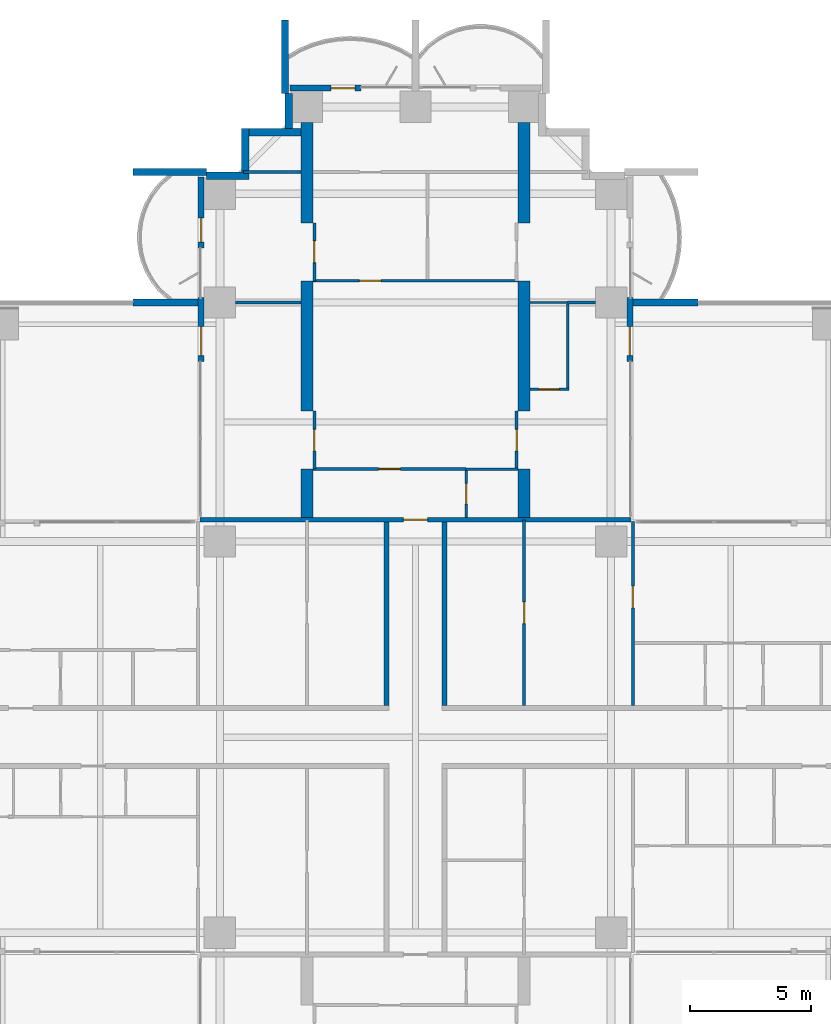
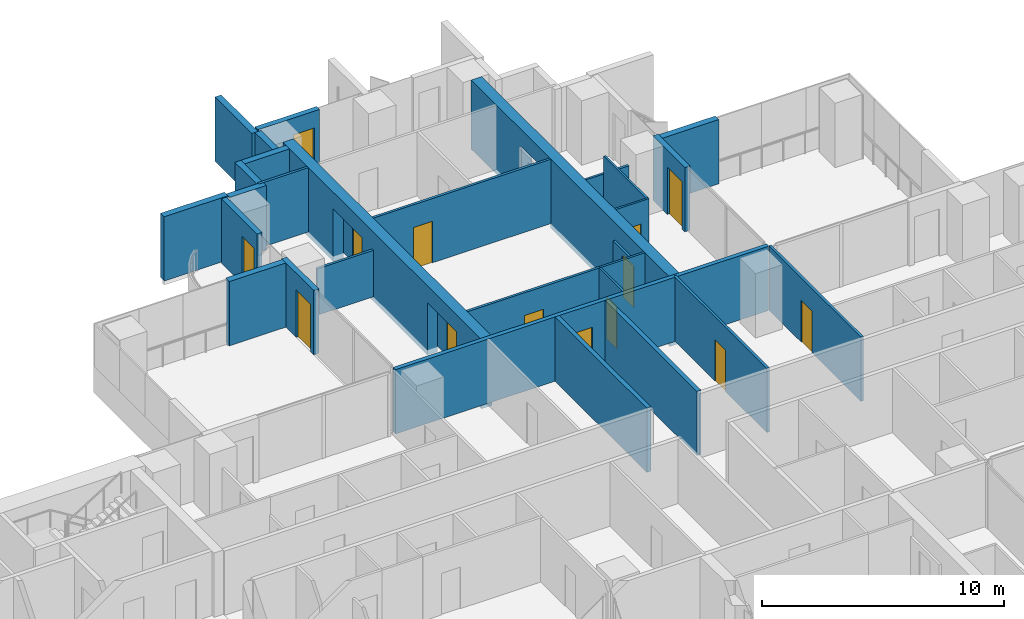
# One storey, part 14 of 20: 32 walls, 14 doors, 14 openings.
"""IFC4 building model written with IfcOpenShell, lengths in metres."""

from ifc_helpers import new_model, si_unit, direction, frame, frame_2d, origin, place, context, subcontext, project, spatial, polyline, rectangle, outline, extrude, material, layer, layer_set, material_profile, profile_set, type_object, element, fill, save


model = new_model("IFC4")

# Units and contexts
model_context = context("Model", 3, precision=1e-05, world=origin(), true_north=direction((0.0, 1.0)))
body_context = subcontext(model_context, "Body", "Model", "MODEL_VIEW")
ifc_project = project(units=[si_unit("LENGTHUNIT", "METRE"), si_unit("AREAUNIT", "SQUARE_METRE"), si_unit("VOLUMEUNIT", "CUBIC_METRE"), si_unit("PLANEANGLEUNIT", "RADIAN"), si_unit("MASSUNIT", "GRAM", prefix="KILO")], contexts=[model_context])

# Site, building, storey
site_placement = place(None, origin())
site = spatial("IfcSite", under=ifc_project, at=site_placement, CompositionType="ELEMENT")
building_placement = place(site_placement, origin())
building = spatial("IfcBuilding", under=site, at=building_placement, Name="Perihelion Cross Residences", CompositionType="ELEMENT")
storey_placement = place(building_placement, frame((0.0, 0.0, 82.0)))
storey = spatial("IfcBuildingStorey", under=building, at=storey_placement, Name="L18", CompositionType="ELEMENT", Elevation=82.0)

# Walls
ifc_material_1 = material(Name="Plasterboard partition")
ifc_layer_1 = layer(ifc_material_1, 0.199951171875)
ifc_layer_set_1 = layer_set([ifc_layer_1], Name="Apartment separation wall 200")
wall_type_1 = type_object("IfcWallType", Name="Apartment separation wall 200", PredefinedType="PARTITIONING", material=ifc_layer_set_1)
for number, where, z_axis, x_axis, name in (
    (1, (1.199951171875, 8.89990234375, 0.0), (0.0, 0.0, 1.0), (0.0, -1.0, 0.0), "Partition L18 W002"),
    (2, (-1.199951171875, 1.300048828125, 0.0), (0.0, 0.0, 1.0), (0.0, 1.0, 0.0), "Partition L18 W006"),
):
    element("IfcWall", number, at=place(storey_placement, frame(where, z_axis=z_axis, x_axis=x_axis)), inside=storey, type_object=wall_type_1, Name=name, PredefinedType="PARTITIONING", context=body_context, shape_type="SweptSolid", body=[
        extrude(rectangle(XDim=7.599853515625, YDim=0.199951171875, at=frame_2d((3.7998046875, 0.0))), origin(), (0.0, 0.0, 1.0), 3.25),
    ])

# Wall, opening, door
wall_1_placement = place(storey_placement, frame((-8.919921875, 9.0, 0.0), z_axis=(0.0, 0.0, 1.0), x_axis=(1.0, 0.0, 0.0)))
wall_1 = element("IfcWall", 3, at=wall_1_placement, inside=storey, type_object=wall_type_1, Name="Partition L18 W009", PredefinedType="PARTITIONING", context=body_context, shape_type="SweptSolid", body=[
    extrude(rectangle(XDim=17.83984375, YDim=0.199951171875, at=frame_2d((8.919921875, 0.0))), origin(), (0.0, 0.0, 1.0), 3.25),
])
opening_1_placement = place(wall_1_placement, frame((8.419921875, 0.0, 0.0)))
opening_1 = element("IfcOpeningElement", 4, at=opening_1_placement, cuts=wall_1, Name="Opening L18.A31", PredefinedType="OPENING", context=body_context, shape_type="SweptSolid", body=[
    extrude(rectangle(XDim=1.0, YDim=2.10009765625, at=frame_2d((0.5, 1.050048828125))), frame((0.0, 0.10986328125, 0.0), z_axis=(0.0, -1.0, 0.0), x_axis=(1.0, 0.0, 0.0)), (0.0, 0.0, 1.0), 0.219970703125),
])
ifc_material_2 = material(Name="Timber door leaf", Category="wood")
door_type_1 = type_object("IfcDoorType", Name="Flat entrance door 1000 x 2100", OperationType="SINGLE_SWING_LEFT", PredefinedType="DOOR", material=ifc_material_2)
door_1_placement = place(opening_1_placement, origin())
door_1 = element("IfcDoor", 5, at=door_1_placement, inside=storey, type_object=door_type_1, Name="Door L18.A31", OperationType="SINGLE_SWING_LEFT", OverallHeight=2.10009765625, OverallWidth=1.0, PredefinedType="DOOR", context=body_context, shape_type="SweptSolid", body=[
    extrude(rectangle(XDim=1.0, YDim=2.10009765625, at=frame_2d((0.5, 1.050048828125))), frame((0.0, 0.02490234375, 0.0), z_axis=(0.0, -1.0, 0.0), x_axis=(1.0, 0.0, 0.0)), (0.0, 0.0, 1.0), 0.050048828125),
])
fill(opening_1, door_1)

ifc_material_3 = material(Name="Concrete C30/37, bronze-clad", Category="concrete")
ifc_layer_2 = layer(ifc_material_3, 0.25)
ifc_layer_set_2 = layer_set([ifc_layer_2], Name="Bronze-clad pier wall 250")
wall_type_2 = type_object("IfcWallType", Name="Bronze-clad pier wall 250", PredefinedType="SOLIDWALL", material=ifc_layer_set_2)
wall_2_placement = place(storey_placement, frame((8.875, 15.550048828125, 0.0), z_axis=(0.0, 0.0, 1.0), x_axis=(0.0, 1.0, 0.0)))
wall_2 = element("IfcWall", 6, at=wall_2_placement, inside=storey, type_object=wall_type_2, Name="Wall FW1 L18 north side east bay 1 pier", PredefinedType="SOLIDWALL", context=body_context, shape_type="SweptSolid", body=[
    extrude(rectangle(XDim=2.64990234375, YDim=0.25, at=frame_2d((1.324951171875, 0.0))), origin(), (0.0, 0.0, 1.0), 3.25),
])
opening_2_placement = place(wall_2_placement, frame((0.25, 0.0, 0.0)))
opening_2 = element("IfcOpeningElement", 7, at=opening_2_placement, cuts=wall_2, Name="Opening L18.E02", PredefinedType="OPENING", context=body_context, shape_type="SweptSolid", body=[
    extrude(rectangle(XDim=1.199951171875, YDim=2.39990234375, at=frame_2d((0.60009765625, 1.199951171875))), frame((0.0, 0.135009765625, 0.0), z_axis=(0.0, -1.0, 0.0), x_axis=(1.0, 0.0, 0.0)), (0.0, 0.0, 1.0), 0.27001953125),
])
ifc_material_4 = material(Name="Bronze anodised aluminium, glazed", Category="aluminium")
door_type_2 = type_object("IfcDoorType", Name="Balcony door 1200 x 2400", OperationType="NOTDEFINED", PredefinedType="DOOR", material=ifc_material_4)
door_2_placement = place(opening_2_placement, origin())
door_2 = element("IfcDoor", 8, at=door_2_placement, inside=storey, type_object=door_type_2, Name="Door L18.E02 north side east bay 1", OperationType="SINGLE_SWING_LEFT", OverallHeight=2.39990234375, OverallWidth=1.199951171875, PredefinedType="DOOR", context=body_context, shape_type="SweptSolid", body=[
    extrude(rectangle(XDim=1.199951171875, YDim=2.39990234375, at=frame_2d((0.60009765625, 1.199951171875))), frame((0.0, 0.02490234375, 0.0), z_axis=(0.0, -1.0, 0.0), x_axis=(1.0, 0.0, 0.0)), (0.0, 0.0, 1.0), 0.050048828125),
])
fill(opening_2, door_2)

wall_3_placement = place(storey_placement, frame((-2.25, 26.875, 0.0), z_axis=(0.0, 0.0, 1.0), x_axis=(-1.0, 0.0, 0.0)))
wall_3 = element("IfcWall", 9, at=wall_3_placement, inside=storey, type_object=wall_type_2, Name="Wall FW1 L18 north tip north bay 2 pier", PredefinedType="SOLIDWALL", context=body_context, shape_type="SweptSolid", body=[
    extrude(rectangle(XDim=2.949951171875, YDim=0.25, at=frame_2d((1.47509765625, 0.0))), origin(), (0.0, 0.0, 1.0), 3.25),
])
opening_3_placement = place(wall_3_placement, frame((0.25, 0.0, 0.0)))
opening_3 = element("IfcOpeningElement", 10, at=opening_3_placement, cuts=wall_3, Name="Opening L18.E05", PredefinedType="OPENING", context=body_context, shape_type="SweptSolid", body=[
    extrude(rectangle(XDim=1.0, YDim=2.39990234375, at=frame_2d((0.5, 1.199951171875))), frame((0.0, 0.135009765625, 0.0), z_axis=(0.0, -1.0, 0.0), x_axis=(1.0, 0.0, 0.0)), (0.0, 0.0, 1.0), 0.27001953125),
])
ifc_material_5 = material(Name="Bronze anodised aluminium, glazed", Category="aluminium")
door_type_3 = type_object("IfcDoorType", Name="Balcony door 1000 x 2400", OperationType="NOTDEFINED", PredefinedType="DOOR", material=ifc_material_5)
door_3_placement = place(opening_3_placement, origin())
door_3 = element("IfcDoor", 11, at=door_3_placement, inside=storey, type_object=door_type_3, Name="Door L18.E05 north tip north bay 2", OperationType="SINGLE_SWING_RIGHT", OverallHeight=2.39990234375, OverallWidth=1.0, PredefinedType="DOOR", context=body_context, shape_type="SweptSolid", body=[
    extrude(rectangle(XDim=1.0, YDim=2.39990234375, at=frame_2d((0.5, 1.199951171875))), frame((0.0, 0.02490234375, 0.0), z_axis=(0.0, -1.0, 0.0), x_axis=(1.0, 0.0, 0.0)), (0.0, 0.0, 1.0), 0.050048828125),
])
fill(opening_3, door_3)

wall_4_placement = place(storey_placement, frame((-8.875, 23.199951171875, 0.0), z_axis=(0.0, 0.0, 1.0), x_axis=(0.0, -1.0, 0.0)))
wall_4 = element("IfcWall", 12, at=wall_4_placement, inside=storey, type_object=wall_type_2, Name="Wall FW1 L18 north side west bay 1 pier", PredefinedType="SOLIDWALL", context=body_context, shape_type="SweptSolid", body=[
    extrude(rectangle(XDim=2.949951171875, YDim=0.25, at=frame_2d((1.47509765625, 0.0))), origin(), (0.0, 0.0, 1.0), 3.25),
])
opening_4_placement = place(wall_4_placement, frame((1.699951171875, 0.0, 0.0)))
opening_4 = element("IfcOpeningElement", 13, at=opening_4_placement, cuts=wall_4, Name="Opening L18.E06", PredefinedType="OPENING", context=body_context, shape_type="SweptSolid", body=[
    extrude(rectangle(XDim=1.0, YDim=2.39990234375, at=frame_2d((0.5, 1.199951171875))), frame((0.0, 0.135009765625, 0.0), z_axis=(0.0, -1.0, 0.0), x_axis=(1.0, 0.0, 0.0)), (0.0, 0.0, 1.0), 0.27001953125),
])
door_4_placement = place(opening_4_placement, origin())
door_4 = element("IfcDoor", 14, at=door_4_placement, inside=storey, type_object=door_type_3, Name="Door L18.E06 north side west bay 1", OperationType="SINGLE_SWING_LEFT", OverallHeight=2.39990234375, OverallWidth=1.0, PredefinedType="DOOR", context=body_context, shape_type="SweptSolid", body=[
    extrude(rectangle(XDim=1.0, YDim=2.39990234375, at=frame_2d((0.5, 1.199951171875))), frame((0.0, 0.02490234375, 0.0), z_axis=(0.0, -1.0, 0.0), x_axis=(1.0, 0.0, 0.0)), (0.0, 0.0, 1.0), 0.050048828125),
])
fill(opening_4, door_4)

wall_5_placement = place(storey_placement, frame((-8.875, 18.199951171875, 0.0), z_axis=(0.0, 0.0, 1.0), x_axis=(0.0, -1.0, 0.0)))
wall_5 = element("IfcWall", 15, at=wall_5_placement, inside=storey, type_object=wall_type_2, Name="Wall FW1 L18 north side west bay 2 pier", PredefinedType="SOLIDWALL", context=body_context, shape_type="SweptSolid", body=[
    extrude(rectangle(XDim=2.64990234375, YDim=0.25, at=frame_2d((1.324951171875, 0.0))), origin(), (0.0, 0.0, 1.0), 3.25),
])
opening_5_placement = place(wall_5_placement, frame((1.199951171875, 0.0, 0.0)))
opening_5 = element("IfcOpeningElement", 16, at=opening_5_placement, cuts=wall_5, Name="Opening L18.E07", PredefinedType="OPENING", context=body_context, shape_type="SweptSolid", body=[
    extrude(rectangle(XDim=1.199951171875, YDim=2.39990234375, at=frame_2d((0.60009765625, 1.199951171875))), frame((0.0, 0.135009765625, 0.0), z_axis=(0.0, -1.0, 0.0), x_axis=(1.0, 0.0, 0.0)), (0.0, 0.0, 1.0), 0.27001953125),
])
door_5_placement = place(opening_5_placement, origin())
door_5 = element("IfcDoor", 17, at=door_5_placement, inside=storey, type_object=door_type_2, Name="Door L18.E07 north side west bay 2", OperationType="SINGLE_SWING_RIGHT", OverallHeight=2.39990234375, OverallWidth=1.199951171875, PredefinedType="DOOR", context=body_context, shape_type="SweptSolid", body=[
    extrude(rectangle(XDim=1.199951171875, YDim=2.39990234375, at=frame_2d((0.60009765625, 1.199951171875))), frame((0.0, 0.02490234375, 0.0), z_axis=(0.0, -1.0, 0.0), x_axis=(1.0, 0.0, 0.0)), (0.0, 0.0, 1.0), 0.050048828125),
])
fill(opening_5, door_5)

# Walls
ifc_material_6 = material(Name="Concrete C30/37, bronze-clad", Category="concrete")
ifc_layer_3 = layer(ifc_material_6, 0.300048828125)
ifc_layer_set_3 = layer_set([ifc_layer_3], Name="Bronze-clad serration wall 300")
wall_type_3 = type_object("IfcWallType", Name="Bronze-clad serration wall 300", PredefinedType="SOLIDWALL", material=ifc_layer_set_3)
wall_6_placement = place(storey_placement, frame((-5.25, 26.64990234375, 0.0), z_axis=(0.0, 0.0, 1.0), x_axis=(0.0, -1.0, 0.0)))
element("IfcWall", 18, at=wall_6_placement, inside=storey, type_object=wall_type_3, Name="Wall SR1 L18 north corner north-west 1", PredefinedType="SOLIDWALL", context=body_context, shape_type="SweptSolid", body=[
    extrude(rectangle(XDim=1.449951171875, YDim=0.300048828125, at=frame_2d((0.72509765625, 0.0))), origin(), (0.0, 0.0, 1.0), 3.25),
])
wall_7_placement = place(storey_placement, frame((-4.75, 25.050048828125, 0.0), z_axis=(0.0, 0.0, 1.0), x_axis=(-1.0, 0.0, 0.0)))
element("IfcWall", 19, at=wall_7_placement, inside=storey, type_object=wall_type_3, Name="Wall SR1 L18 north corner north-west 2", PredefinedType="SOLIDWALL", context=body_context, shape_type="SweptSolid", body=[
    extrude(rectangle(XDim=2.14990234375, YDim=0.300048828125, at=frame_2d((1.074951171875, 0.0))), origin(), (0.0, 0.0, 1.0), 3.25),
])
wall_8_placement = place(storey_placement, frame((-7.050048828125, 25.199951171875, 0.0), z_axis=(0.0, 0.0, 1.0), x_axis=(0.0, -1.0, 0.0)))
element("IfcWall", 20, at=wall_8_placement, inside=storey, type_object=wall_type_3, Name="Wall SR1 L18 north corner north-west 3", PredefinedType="SOLIDWALL", context=body_context, shape_type="SweptSolid", body=[
    extrude(rectangle(XDim=1.800048828125, YDim=0.300048828125, at=frame_2d((0.89990234375, 0.0))), origin(), (0.0, 0.0, 1.0), 3.25),
])
wall_9_placement = place(storey_placement, frame((-6.89990234375, 23.25, 0.0), z_axis=(0.0, 0.0, 1.0), x_axis=(-1.0, 0.0, 0.0)))
element("IfcWall", 21, at=wall_9_placement, inside=storey, type_object=wall_type_3, Name="Wall SR1 L18 north corner north-west 4", PredefinedType="SOLIDWALL", context=body_context, shape_type="SweptSolid", body=[
    extrude(rectangle(XDim=1.75, YDim=0.300048828125, at=frame_2d((0.875, 0.0))), origin(), (0.0, 0.0, 1.0), 3.25),
])

# Wall, opening, door
ifc_material_7 = material(Name="Plasterboard partition")
ifc_layer_4 = layer(ifc_material_7, 0.1201171875)
ifc_layer_set_4 = layer_set([ifc_layer_4], Name="Infill panel 120")
wall_type_4 = type_object("IfcWallType", Name="Infill panel 120", PredefinedType="PARTITIONING", material=ifc_layer_set_4)
wall_10_placement = place(storey_placement, frame((4.18994140625, 11.10009765625, 0.0), z_axis=(0.0, 0.0, 1.0), x_axis=(0.0, 1.0, 0.0)))
wall_10 = element("IfcWall", 22, at=wall_10_placement, inside=storey, type_object=wall_type_4, Name="Partition L18 WI01", PredefinedType="PARTITIONING", context=body_context, shape_type="SweptSolid", body=[
    extrude(rectangle(XDim=2.39990234375, YDim=0.1201171875, at=frame_2d((1.199951171875, 0.0))), origin(), (0.0, 0.0, 1.0), 2.39990234375),
])
opening_6_placement = place(wall_10_placement, frame((0.75, 0.0, 0.0)))
opening_6 = element("IfcOpeningElement", 23, at=opening_6_placement, cuts=wall_10, Name="Opening L18.A49", PredefinedType="OPENING", context=body_context, shape_type="SweptSolid", body=[
    extrude(rectangle(XDim=0.89990234375, YDim=2.10009765625, at=frame_2d((0.449951171875, 1.050048828125))), frame((0.0, 0.070068359375, 0.0), z_axis=(0.0, -1.0, 0.0), x_axis=(1.0, 0.0, 0.0)), (0.0, 0.0, 1.0), 0.14013671875),
])
ifc_material_8 = material(Name="Timber door leaf", Category="wood")
door_type_4 = type_object("IfcDoorType", Name="Interior room door 900 x 2100", OperationType="SINGLE_SWING_LEFT", PredefinedType="DOOR", material=ifc_material_8)
door_6_placement = place(opening_6_placement, origin())
door_6 = element("IfcDoor", 24, at=door_6_placement, inside=storey, type_object=door_type_4, Name="Door L18.A49", OperationType="SINGLE_SWING_LEFT", OverallHeight=2.10009765625, OverallWidth=0.89990234375, PredefinedType="DOOR", context=body_context, shape_type="SweptSolid", body=[
    extrude(rectangle(XDim=0.89990234375, YDim=2.10009765625, at=frame_2d((0.449951171875, 1.050048828125))), frame((0.0, 0.02490234375, 0.0), z_axis=(0.0, -1.0, 0.0), x_axis=(1.0, 0.0, 0.0)), (0.0, 0.0, 1.0), 0.050048828125),
])
fill(opening_6, door_6)

wall_11_placement = place(storey_placement, frame((-4.18994140625, 11.10009765625, 0.0), z_axis=(0.0, 0.0, 1.0), x_axis=(0.0, 1.0, 0.0)))
wall_11 = element("IfcWall", 25, at=wall_11_placement, inside=storey, type_object=wall_type_4, Name="Partition L18 WI03", PredefinedType="PARTITIONING", context=body_context, shape_type="SweptSolid", body=[
    extrude(rectangle(XDim=2.39990234375, YDim=0.1201171875, at=frame_2d((1.199951171875, 0.0))), origin(), (0.0, 0.0, 1.0), 2.39990234375),
])
opening_7_placement = place(wall_11_placement, frame((0.75, 0.0, 0.0)))
opening_7 = element("IfcOpeningElement", 26, at=opening_7_placement, cuts=wall_11, Name="Opening L18.A51", PredefinedType="OPENING", context=body_context, shape_type="SweptSolid", body=[
    extrude(rectangle(XDim=0.89990234375, YDim=2.10009765625, at=frame_2d((0.449951171875, 1.050048828125))), frame((0.0, 0.070068359375, 0.0), z_axis=(0.0, -1.0, 0.0), x_axis=(1.0, 0.0, 0.0)), (0.0, 0.0, 1.0), 0.14013671875),
])
door_7_placement = place(opening_7_placement, origin())
door_7 = element("IfcDoor", 27, at=door_7_placement, inside=storey, type_object=door_type_4, Name="Door L18.A51", OperationType="SINGLE_SWING_RIGHT", OverallHeight=2.10009765625, OverallWidth=0.89990234375, PredefinedType="DOOR", context=body_context, shape_type="SweptSolid", body=[
    extrude(rectangle(XDim=0.89990234375, YDim=2.10009765625, at=frame_2d((0.449951171875, 1.050048828125))), frame((0.0, 0.02490234375, 0.0), z_axis=(0.0, -1.0, 0.0), x_axis=(1.0, 0.0, 0.0)), (0.0, 0.0, 1.0), 0.050048828125),
])
fill(opening_7, door_7)

wall_12_placement = place(storey_placement, frame((-4.18994140625, 18.89990234375, 0.0), z_axis=(0.0, 0.0, 1.0), x_axis=(0.0, 1.0, 0.0)))
wall_12 = element("IfcWall", 28, at=wall_12_placement, inside=storey, type_object=wall_type_4, Name="Partition L18 WI04", PredefinedType="PARTITIONING", context=body_context, shape_type="SweptSolid", body=[
    extrude(rectangle(XDim=2.400146484375, YDim=0.1201171875, at=frame_2d((1.2001953125, 0.0))), origin(), (0.0, 0.0, 1.0), 2.39990234375),
])
opening_8_placement = place(wall_12_placement, frame((0.75, 0.0, 0.0)))
opening_8 = element("IfcOpeningElement", 29, at=opening_8_placement, cuts=wall_12, Name="Opening L18.A52", PredefinedType="OPENING", context=body_context, shape_type="SweptSolid", body=[
    extrude(rectangle(XDim=0.89990234375, YDim=2.10009765625, at=frame_2d((0.449951171875, 1.050048828125))), frame((0.0, 0.070068359375, 0.0), z_axis=(0.0, -1.0, 0.0), x_axis=(1.0, 0.0, 0.0)), (0.0, 0.0, 1.0), 0.14013671875),
])
door_8_placement = place(opening_8_placement, origin())
door_8 = element("IfcDoor", 30, at=door_8_placement, inside=storey, type_object=door_type_4, Name="Door L18.A52", OperationType="SINGLE_SWING_LEFT", OverallHeight=2.10009765625, OverallWidth=0.89990234375, PredefinedType="DOOR", context=body_context, shape_type="SweptSolid", body=[
    extrude(rectangle(XDim=0.89990234375, YDim=2.10009765625, at=frame_2d((0.449951171875, 1.050048828125))), frame((0.0, 0.02490234375, 0.0), z_axis=(0.0, -1.0, 0.0), x_axis=(1.0, 0.0, 0.0)), (0.0, 0.0, 1.0), 0.050048828125),
])
fill(opening_8, door_8)

ifc_material_9 = material(Name="Plasterboard partition")
ifc_layer_5 = layer(ifc_material_9, 0.1201171875)
ifc_layer_set_5 = layer_set([ifc_layer_5], Name="Partition wall 120")
wall_type_5 = type_object("IfcWallType", Name="Partition wall 120", PredefinedType="PARTITIONING", material=ifc_layer_set_5)
wall_13_placement = place(storey_placement, frame((9.0, 1.300048828125, 0.0), z_axis=(0.0, 0.0, 1.0), x_axis=(0.0, 1.0, 0.0)))
wall_13 = element("IfcWall", 31, at=wall_13_placement, inside=storey, type_object=wall_type_5, Name="Partition L18 W013", PredefinedType="PARTITIONING", context=body_context, shape_type="SweptSolid", body=[
    extrude(rectangle(XDim=7.619873046875, YDim=0.1201171875, at=frame_2d((3.81005859375, 0.0))), origin(), (0.0, 0.0, 1.0), 3.25),
])
opening_9_placement = place(wall_13_placement, frame((4.050048828125, 0.0, 0.0)))
opening_9 = element("IfcOpeningElement", 32, at=opening_9_placement, cuts=wall_13, Name="Opening L18.A06", PredefinedType="OPENING", context=body_context, shape_type="SweptSolid", body=[
    extrude(rectangle(XDim=0.89990234375, YDim=2.10009765625, at=frame_2d((0.449951171875, 1.050048828125))), frame((0.0, 0.070068359375, 0.0), z_axis=(0.0, -1.0, 0.0), x_axis=(1.0, 0.0, 0.0)), (0.0, 0.0, 1.0), 0.14013671875),
])
door_9_placement = place(opening_9_placement, origin())
door_9 = element("IfcDoor", 33, at=door_9_placement, inside=storey, type_object=door_type_4, Name="Door L18.A06", OperationType="SINGLE_SWING_RIGHT", OverallHeight=2.10009765625, OverallWidth=0.89990234375, PredefinedType="DOOR", context=body_context, shape_type="SweptSolid", body=[
    extrude(rectangle(XDim=0.89990234375, YDim=2.10009765625, at=frame_2d((0.449951171875, 1.050048828125))), frame((0.0, 0.02490234375, 0.0), z_axis=(0.0, -1.0, 0.0), x_axis=(1.0, 0.0, 0.0)), (0.0, 0.0, 1.0), 0.050048828125),
])
fill(opening_9, door_9)

wall_14_placement = place(storey_placement, frame((4.5, 1.300048828125, 0.0), z_axis=(0.0, 0.0, 1.0), x_axis=(0.0, 1.0, 0.0)))
wall_14 = element("IfcWall", 34, at=wall_14_placement, inside=storey, type_object=wall_type_5, Name="Partition L18 W019", PredefinedType="PARTITIONING", context=body_context, shape_type="SweptSolid", body=[
    extrude(rectangle(XDim=7.699951171875, YDim=0.1201171875, at=frame_2d((3.85009765625, 0.0))), origin(), (0.0, 0.0, 1.0), 3.25),
])
opening_10_placement = place(wall_14_placement, frame((3.39990234375, 0.0, 0.0)))
opening_10 = element("IfcOpeningElement", 35, at=opening_10_placement, cuts=wall_14, Name="Opening L18.A02", PredefinedType="OPENING", context=body_context, shape_type="SweptSolid", body=[
    extrude(rectangle(XDim=0.89990234375, YDim=2.10009765625, at=frame_2d((0.449951171875, 1.050048828125))), frame((0.0, 0.070068359375, 0.0), z_axis=(0.0, -1.0, 0.0), x_axis=(1.0, 0.0, 0.0)), (0.0, 0.0, 1.0), 0.14013671875),
])
door_10_placement = place(opening_10_placement, origin())
door_10 = element("IfcDoor", 36, at=door_10_placement, inside=storey, type_object=door_type_4, Name="Door L18.A02", OperationType="SINGLE_SWING_LEFT", OverallHeight=2.10009765625, OverallWidth=0.89990234375, PredefinedType="DOOR", context=body_context, shape_type="SweptSolid", body=[
    extrude(rectangle(XDim=0.89990234375, YDim=2.10009765625, at=frame_2d((0.449951171875, 1.050048828125))), frame((0.0, 0.02490234375, 0.0), z_axis=(0.0, -1.0, 0.0), x_axis=(1.0, 0.0, 0.0)), (0.0, 0.0, 1.0), 0.050048828125),
])
fill(opening_10, door_10)

wall_15_placement = place(storey_placement, frame((-4.25, 11.10009765625, 0.0), z_axis=(0.0, 0.0, 1.0), x_axis=(1.0, 0.0, 0.0)))
wall_15 = element("IfcWall", 37, at=wall_15_placement, inside=storey, type_object=wall_type_5, Name="Partition L18 W049", PredefinedType="PARTITIONING", context=body_context, shape_type="SweptSolid", body=[
    extrude(rectangle(XDim=6.35009765625, YDim=0.1201171875, at=frame_2d((3.175048828125, 0.0))), origin(), (0.0, 0.0, 1.0), 3.25),
])
opening_11_placement = place(wall_15_placement, frame((2.72509765625, 0.0, 0.0)))
opening_11 = element("IfcOpeningElement", 38, at=opening_11_placement, cuts=wall_15, Name="Opening L18.A33", PredefinedType="OPENING", context=body_context, shape_type="SweptSolid", body=[
    extrude(rectangle(XDim=0.89990234375, YDim=2.10009765625, at=frame_2d((0.449951171875, 1.050048828125))), frame((0.0, 0.070068359375, 0.0), z_axis=(0.0, -1.0, 0.0), x_axis=(1.0, 0.0, 0.0)), (0.0, 0.0, 1.0), 0.14013671875),
])
door_11_placement = place(opening_11_placement, origin())
door_11 = element("IfcDoor", 39, at=door_11_placement, inside=storey, type_object=door_type_4, Name="Door L18.A33", OperationType="SINGLE_SWING_RIGHT", OverallHeight=2.10009765625, OverallWidth=0.89990234375, PredefinedType="DOOR", context=body_context, shape_type="SweptSolid", body=[
    extrude(rectangle(XDim=0.89990234375, YDim=2.10009765625, at=frame_2d((0.449951171875, 1.050048828125))), frame((0.0, 0.02490234375, 0.0), z_axis=(0.0, -1.0, 0.0), x_axis=(1.0, 0.0, 0.0)), (0.0, 0.0, 1.0), 0.050048828125),
])
fill(opening_11, door_11)

wall_16_placement = place(storey_placement, frame((-4.25, 18.89990234375, 0.0), z_axis=(0.0, 0.0, 1.0), x_axis=(1.0, 0.0, 0.0)))
wall_16 = element("IfcWall", 40, at=wall_16_placement, inside=storey, type_object=wall_type_5, Name="Partition L18 W051", PredefinedType="PARTITIONING", context=body_context, shape_type="SweptSolid", body=[
    extrude(rectangle(XDim=8.5, YDim=0.1201171875, at=frame_2d((4.25, 0.0))), origin(), (0.0, 0.0, 1.0), 3.25),
])
opening_12_placement = place(wall_16_placement, frame((1.925048828125, 0.0, 0.0)))
opening_12 = element("IfcOpeningElement", 41, at=opening_12_placement, cuts=wall_16, Name="Opening L18.A34", PredefinedType="OPENING", context=body_context, shape_type="SweptSolid", body=[
    extrude(rectangle(XDim=0.89990234375, YDim=2.10009765625, at=frame_2d((0.449951171875, 1.050048828125))), frame((0.0, 0.070068359375, 0.0), z_axis=(0.0, -1.0, 0.0), x_axis=(1.0, 0.0, 0.0)), (0.0, 0.0, 1.0), 0.14013671875),
])
door_12_placement = place(opening_12_placement, origin())
door_12 = element("IfcDoor", 42, at=door_12_placement, inside=storey, type_object=door_type_4, Name="Door L18.A34", OperationType="SINGLE_SWING_LEFT", OverallHeight=2.10009765625, OverallWidth=0.89990234375, PredefinedType="DOOR", context=body_context, shape_type="SweptSolid", body=[
    extrude(rectangle(XDim=0.89990234375, YDim=2.10009765625, at=frame_2d((0.449951171875, 1.050048828125))), frame((0.0, 0.02490234375, 0.0), z_axis=(0.0, -1.0, 0.0), x_axis=(1.0, 0.0, 0.0)), (0.0, 0.0, 1.0), 0.050048828125),
])
fill(opening_12, door_12)

# Walls
wall_17_placement = place(storey_placement, frame((6.300048828125, 18.0, 0.0), z_axis=(0.0, 0.0, 1.0), x_axis=(1.0, 0.0, 0.0)))
element("IfcWall", 43, at=wall_17_placement, inside=storey, type_object=wall_type_5, Name="Partition L18 W056", PredefinedType="PARTITIONING", context=body_context, shape_type="SweptSolid", body=[
    extrude(rectangle(XDim=1.14990234375, YDim=0.1201171875, at=frame_2d((0.574951171875, 0.0))), origin(), (0.0, 0.0, 1.0), 2.345947265625),
])
wall_18_placement = place(storey_placement, frame((-7.449951171875, 18.0, 0.0), z_axis=(0.0, 0.0, 1.0), x_axis=(1.0, 0.0, 0.0)))
element("IfcWall", 44, at=wall_18_placement, inside=storey, type_object=wall_type_5, Name="Partition L18 W059", PredefinedType="PARTITIONING", context=body_context, shape_type="SweptSolid", body=[
    extrude(rectangle(XDim=2.699951171875, YDim=0.1201171875, at=frame_2d((1.35009765625, 0.0))), origin(), (0.0, 0.0, 1.0), 2.345947265625),
])
wall_19_placement = place(storey_placement, frame((-7.1201171875, 23.39990234375, 0.0), z_axis=(0.0, 0.0, 1.0), x_axis=(1.0, 0.0, 0.0)))
element("IfcWall", 45, at=wall_19_placement, inside=storey, type_object=wall_type_5, Name="Partition L18 W060", PredefinedType="PARTITIONING", context=body_context, shape_type="SweptSolid", body=[
    extrude(rectangle(XDim=2.3701171875, YDim=0.1201171875, at=frame_2d((1.18505859375, 0.0))), origin(), (0.0, 0.0, 1.0), 3.25),
])
ifc_material_10 = material(Name="Precast concrete C50/60", Category="concrete")
ifc_layer_6 = layer(ifc_material_10, 0.300048828125)
ifc_layer_set_6 = layer_set([ifc_layer_6], Name="Precast concrete C50/60 blade wall 300")
wall_type_6 = type_object("IfcWallType", Name="Precast concrete C50/60 blade wall 300", PredefinedType="SOLIDWALL", material=ifc_layer_set_6)
wall_20_placement = place(storey_placement, frame((-8.75, 18.0, 0.0), z_axis=(0.0, 0.0, 1.0), x_axis=(-1.0, 0.0, 0.0)))
element("IfcWall", 46, at=wall_20_placement, inside=storey, type_object=wall_type_6, Name="Wall BL1 L18 no. 7", PredefinedType="SOLIDWALL", context=body_context, shape_type="SweptSolid", body=[
    extrude(rectangle(XDim=2.949951171875, YDim=0.300048828125, at=frame_2d((1.47509765625, 0.0))), origin(), (0.0, 0.0, 1.0), 3.25),
])
for number, where, z_axis, x_axis, name in (
    (47, (-8.64990234375, 23.39990234375, 0.0), (0.0, 0.0, 1.0), (-1.0, 0.0, 0.0), "Wall BL1 L18 no. 8"),
    (48, (-5.39990234375, 26.64990234375, 0.0), (0.0, 0.0, 1.0), (0.0, 1.0, 0.0), "Wall BL1 L18 no. 4"),
):
    element("IfcWall", number, at=place(storey_placement, frame(where, z_axis=z_axis, x_axis=x_axis)), inside=storey, type_object=wall_type_6, Name=name, PredefinedType="SOLIDWALL", context=body_context, shape_type="SweptSolid", body=[
        extrude(rectangle(XDim=3.050048828125, YDim=0.300048828125, at=frame_2d((1.52490234375, 0.0))), origin(), (0.0, 0.0, 1.0), 3.25),
    ])
wall_21_placement = place(storey_placement, frame((8.75, 18.0, 0.0), z_axis=(0.0, 0.0, 1.0), x_axis=(1.0, 0.0, 0.0)))
element("IfcWall", 49, at=wall_21_placement, inside=storey, type_object=wall_type_6, Name="Wall BL1 L18 no. 17", PredefinedType="SOLIDWALL", context=body_context, shape_type="SweptSolid", body=[
    extrude(rectangle(XDim=2.949951171875, YDim=0.300048828125, at=frame_2d((1.47509765625, 0.0))), origin(), (0.0, 0.0, 1.0), 3.25),
])
ifc_material_11 = material(Name="Concrete C60/75", Category="concrete")
ifc_material_profile = material_profile(ifc_material_11, outline(polyline([(0.0, 0.0), (2.10009765625, 0.0), (2.10009765625, 2.64990234375), (4.5, 2.64990234375), (4.5, 0.0), (9.89990234375, 0.0), (9.89990234375, 2.64990234375), (12.300048828125, 2.64990234375), (12.300048828125, 0.0), (16.449951171875, 0.0), (16.449951171875, 3.5), (0.0, 3.5), (0.0, 0.0)])), Name="Tip spine wall")
ifc_profile_set = profile_set([ifc_material_profile], Name="Concrete C60/75")
wall_type_7 = type_object("IfcWallType", Name="Tip spine wall 500 with 2 door openings 16450 long 3500 high concrete C60/75 hand B", PredefinedType="SHEAR", material=ifc_profile_set)
for number, where, z_axis, x_axis, name in (
    (50, (-4.75, 9.0, -0.25), (1.0, 0.0, 0.0), (0.0, 1.0, 0.0), "Shear wall SW23 L18 north west"),
    (51, (4.25, 9.0, -0.25), (1.0, 0.0, 0.0), (0.0, 1.0, 0.0), "Shear wall SW23 L18 north east"),
):
    element("IfcWall", number, at=place(storey_placement, frame(where, z_axis=z_axis, x_axis=x_axis)), inside=storey, type_object=wall_type_7, Name=name, PredefinedType="SHEAR", context=body_context, shape_type="SweptSolid", body=[
        extrude(outline(polyline([(0.0, 0.0), (2.10009765625, 0.0), (2.10009765625, 2.64990234375), (4.5, 2.64990234375), (4.5, 0.0), (9.89990234375, 0.0), (9.89990234375, 2.64990234375), (12.300048828125, 2.64990234375), (12.300048828125, 0.0), (16.449951171875, 0.0), (16.449951171875, 3.5), (0.0, 3.5), (0.0, 0.0)])), origin(), (0.0, 0.0, 1.0), 0.5),
    ])

# Wall, opening, door
ifc_material_12 = material(Name="Plasterboard partition")
ifc_layer_7 = layer(ifc_material_12, 0.10009765625)
ifc_layer_set_7 = layer_set([ifc_layer_7], Name="Wet room wall 100")
wall_type_8 = type_object("IfcWallType", Name="Wet room wall 100", PredefinedType="PARTITIONING", material=ifc_layer_set_7)
wall_22_placement = place(storey_placement, frame((2.10009765625, 11.0400390625, 0.0), z_axis=(0.0, 0.0, 1.0), x_axis=(0.0, -1.0, 0.0)))
wall_22 = element("IfcWall", 52, at=wall_22_placement, inside=storey, type_object=wall_type_8, Name="Partition L18 W048", PredefinedType="PARTITIONING", context=body_context, shape_type="SweptSolid", body=[
    extrude(rectangle(XDim=1.93994140625, YDim=0.10009765625, at=frame_2d((0.969970703125, 0.0))), origin(), (0.0, 0.0, 1.0), 3.25),
])
opening_13_placement = place(wall_22_placement, frame((0.544921875, 0.0, 0.0)))
opening_13 = element("IfcOpeningElement", 53, at=opening_13_placement, cuts=wall_22, Name="Opening L18.A32", PredefinedType="OPENING", context=body_context, shape_type="SweptSolid", body=[
    extrude(rectangle(XDim=0.85009765625, YDim=2.10009765625, at=frame_2d((0.425048828125, 1.050048828125))), frame((0.0, 0.06005859375, 0.0), z_axis=(0.0, -1.0, 0.0), x_axis=(1.0, 0.0, 0.0)), (0.0, 0.0, 1.0), 0.1201171875),
])
ifc_material_13 = material(Name="Timber door leaf", Category="wood")
door_type_5 = type_object("IfcDoorType", Name="Interior bathroom door 850 x 2100", OperationType="SINGLE_SWING_LEFT", PredefinedType="DOOR", material=ifc_material_13)
door_13_placement = place(opening_13_placement, origin())
door_13 = element("IfcDoor", 54, at=door_13_placement, inside=storey, type_object=door_type_5, Name="Door L18.A32", OperationType="SINGLE_SWING_RIGHT", OverallHeight=2.10009765625, OverallWidth=0.85009765625, PredefinedType="DOOR", context=body_context, shape_type="SweptSolid", body=[
    extrude(rectangle(XDim=0.85009765625, YDim=2.10009765625, at=frame_2d((0.425048828125, 1.050048828125))), frame((0.0, 0.02490234375, 0.0), z_axis=(0.0, -1.0, 0.0), x_axis=(1.0, 0.0, 0.0)), (0.0, 0.0, 1.0), 0.050048828125),
])
fill(opening_13, door_13)

# Wall
wall_23_placement = place(storey_placement, frame((2.10009765625, 11.10009765625, 0.0), z_axis=(0.0, 0.0, 1.0), x_axis=(1.0, 0.0, 0.0)))
element("IfcWall", 55, at=wall_23_placement, inside=storey, type_object=wall_type_8, Name="Partition L18 W050", PredefinedType="PARTITIONING", context=body_context, shape_type="SweptSolid", body=[
    extrude(rectangle(XDim=2.14990234375, YDim=0.10009765625, at=frame_2d((1.074951171875, 0.0))), origin(), (0.0, 0.0, 1.0), 3.25),
])

# Wall, opening, door
wall_24_placement = place(storey_placement, frame((4.75, 14.39990234375, 0.0), z_axis=(0.0, 0.0, 1.0), x_axis=(1.0, 0.0, 0.0)))
wall_24 = element("IfcWall", 56, at=wall_24_placement, inside=storey, type_object=wall_type_8, Name="Partition L18 W054", PredefinedType="PARTITIONING", context=body_context, shape_type="SweptSolid", body=[
    extrude(rectangle(XDim=1.60009765625, YDim=0.10009765625, at=frame_2d((0.800048828125, 0.0))), origin(), (0.0, 0.0, 1.0), 3.25),
])
opening_14_placement = place(wall_24_placement, frame((0.35009765625, 0.0, 0.0)))
opening_14 = element("IfcOpeningElement", 57, at=opening_14_placement, cuts=wall_24, Name="Opening L18.A37", PredefinedType="OPENING", context=body_context, shape_type="SweptSolid", body=[
    extrude(rectangle(XDim=0.85009765625, YDim=2.10009765625, at=frame_2d((0.425048828125, 1.050048828125))), frame((0.0, 0.06005859375, 0.0), z_axis=(0.0, -1.0, 0.0), x_axis=(1.0, 0.0, 0.0)), (0.0, 0.0, 1.0), 0.1201171875),
])
door_14_placement = place(opening_14_placement, origin())
door_14 = element("IfcDoor", 58, at=door_14_placement, inside=storey, type_object=door_type_5, Name="Door L18.A37", OperationType="SINGLE_SWING_LEFT", OverallHeight=2.10009765625, OverallWidth=0.85009765625, PredefinedType="DOOR", context=body_context, shape_type="SweptSolid", body=[
    extrude(rectangle(XDim=0.85009765625, YDim=2.10009765625, at=frame_2d((0.425048828125, 1.050048828125))), frame((0.0, 0.02490234375, 0.0), z_axis=(0.0, -1.0, 0.0), x_axis=(1.0, 0.0, 0.0)), (0.0, 0.0, 1.0), 0.050048828125),
])
fill(opening_14, door_14)

# Walls
wall_25_placement = place(storey_placement, frame((6.300048828125, 14.449951171875, 0.0), z_axis=(0.0, 0.0, 1.0), x_axis=(0.0, 1.0, 0.0)))
element("IfcWall", 59, at=wall_25_placement, inside=storey, type_object=wall_type_8, Name="Partition L18 W055", PredefinedType="PARTITIONING", context=body_context, shape_type="SweptSolid", body=[
    extrude(rectangle(XDim=3.489990234375, YDim=0.10009765625, at=frame_2d((1.7451171875, 0.0))), origin(), (0.0, 0.0, 1.0), 3.25),
])
wall_26_placement = place(storey_placement, frame((4.75, 18.0, 0.0), z_axis=(0.0, 0.0, 1.0), x_axis=(1.0, 0.0, 0.0)))
element("IfcWall", 60, at=wall_26_placement, inside=storey, type_object=wall_type_8, Name="Partition L18 W057", PredefinedType="PARTITIONING", context=body_context, shape_type="SweptSolid", body=[
    extrude(rectangle(XDim=1.550048828125, YDim=0.10009765625, at=frame_2d((0.77490234375, 0.0))), origin(), (0.0, 0.0, 1.0), 2.345947265625),
])

save(model, "model.ifc")
